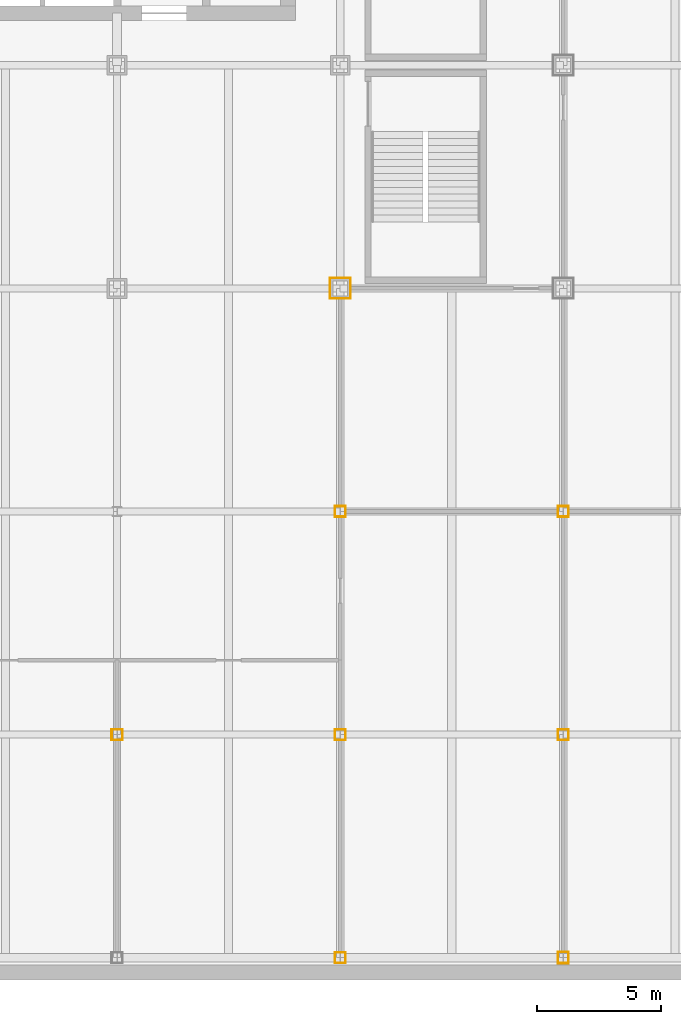
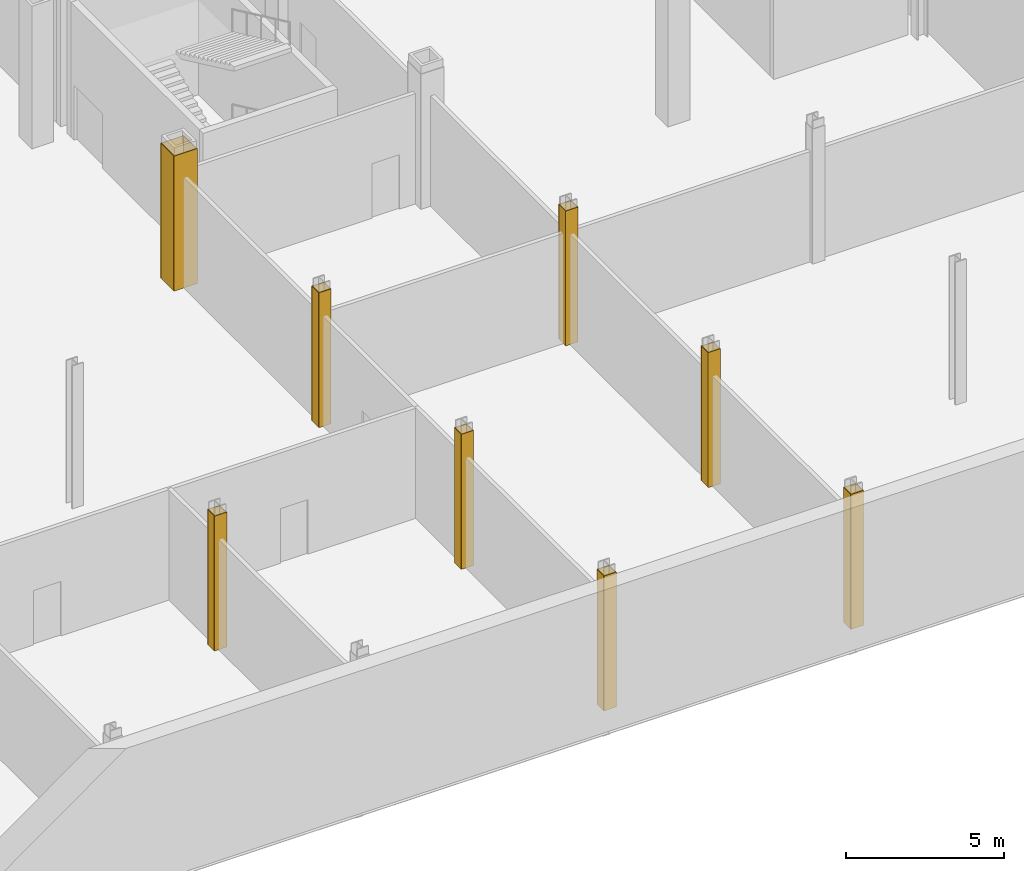
# One storey, part 17 of 27: 32 coverings.
"""IFC4 building model written with IfcOpenShell, lengths in metres."""

from ifc_helpers import new_model, si_unit, direction, frame, origin, origin_2d, place, context, subcontext, project, spatial, rectangle, extrude, material, layer, layer_set, type_object, element, save


model = new_model("IFC4")

# Units and contexts
model_context = context("Model", 3, precision=1e-05, world=origin(), true_north=direction((0.0, 1.0)))
body_context = subcontext(model_context, "Body", "Model", "MODEL_VIEW")
ifc_project = project(units=[si_unit("LENGTHUNIT", "METRE"), si_unit("AREAUNIT", "SQUARE_METRE"), si_unit("VOLUMEUNIT", "CUBIC_METRE"), si_unit("PLANEANGLEUNIT", "RADIAN"), si_unit("MASSUNIT", "GRAM", prefix="KILO")], contexts=[model_context])

# Site, building, storey
site_placement = place(None, origin())
site = spatial("IfcSite", under=ifc_project, at=site_placement, CompositionType="ELEMENT")
building_placement = place(site_placement, origin())
building = spatial("IfcBuilding", under=site, at=building_placement, Name="Loomwork Tower", CompositionType="ELEMENT")
storey_placement = place(building_placement, frame((0.0, 0.0, -5.5)))
storey = spatial("IfcBuildingStorey", under=building, at=storey_placement, Name="B1", CompositionType="ELEMENT", Elevation=-5.5)

# Coverings
ifc_material = material(Name="Two-hour fire-rated gypsum board casing")
ifc_layer = layer(ifc_material, 0.02490234375)
ifc_layer_set = layer_set([ifc_layer], Name="Column fire casing 25")
covering_type = type_object("IfcCoveringType", Name="Column fire casing 25", PredefinedType="CLADDING", material=ifc_layer_set)
for number, where, z_axis, x_axis, name in (
    (1, (27.0, -17.7880859375, 0.0), (0.0, 0.0, 1.0), (1.0, 0.0, 0.0), "Column casing 27 -18 B1"),
    (2, (27.0, -18.2119140625, 0.0), (0.0, 0.0, 1.0), (1.0, 0.0, 0.0), "Column casing 27 -18 B1"),
):
    element("IfcCovering", number, at=place(storey_placement, frame(where, z_axis=z_axis, x_axis=x_axis)), inside=storey, type_object=covering_type, Name=name, PredefinedType="CLADDING", context=body_context, shape_type="SweptSolid", body=[
        extrude(rectangle(XDim=0.451416015625, YDim=0.02490234375, at=origin_2d()), origin(), (0.0, 0.0, 1.0), 5.199951171875),
    ])
for number, where, z_axis, x_axis, name in (
    (3, (27.213134765625, -18.0, 0.0), (0.0, 0.0, 1.0), (1.0, 0.0, 0.0), "Column casing 27 -18 B1"),
    (4, (26.786865234375, -18.0, 0.0), (0.0, 0.0, 1.0), (1.0, 0.0, 0.0), "Column casing 27 -18 B1"),
):
    element("IfcCovering", number, at=place(storey_placement, frame(where, z_axis=z_axis, x_axis=x_axis)), inside=storey, type_object=covering_type, Name=name, PredefinedType="CLADDING", context=body_context, shape_type="SweptSolid", body=[
        extrude(rectangle(XDim=0.02490234375, YDim=0.398681640625, at=origin_2d()), origin(), (0.0, 0.0, 1.0), 5.199951171875),
    ])
for number, where, z_axis, x_axis, name in (
    (5, (36.0, -26.7880859375, 0.0), (0.0, 0.0, 1.0), (1.0, 0.0, 0.0), "Column casing 36 -27 B1"),
    (6, (36.0, -27.2119140625, 0.0), (0.0, 0.0, 1.0), (1.0, 0.0, 0.0), "Column casing 36 -27 B1"),
):
    element("IfcCovering", number, at=place(storey_placement, frame(where, z_axis=z_axis, x_axis=x_axis)), inside=storey, type_object=covering_type, Name=name, PredefinedType="CLADDING", context=body_context, shape_type="SweptSolid", body=[
        extrude(rectangle(XDim=0.451416015625, YDim=0.02490234375, at=origin_2d()), origin(), (0.0, 0.0, 1.0), 5.199951171875),
    ])
for number, where, z_axis, x_axis, name in (
    (7, (36.213134765625, -27.0, 0.0), (0.0, 0.0, 1.0), (1.0, 0.0, 0.0), "Column casing 36 -27 B1"),
    (8, (35.786865234375, -27.0, 0.0), (0.0, 0.0, 1.0), (1.0, 0.0, 0.0), "Column casing 36 -27 B1"),
):
    element("IfcCovering", number, at=place(storey_placement, frame(where, z_axis=z_axis, x_axis=x_axis)), inside=storey, type_object=covering_type, Name=name, PredefinedType="CLADDING", context=body_context, shape_type="SweptSolid", body=[
        extrude(rectangle(XDim=0.02490234375, YDim=0.398681640625, at=origin_2d()), origin(), (0.0, 0.0, 1.0), 5.199951171875),
    ])
for number, where, z_axis, x_axis, name in (
    (9, (36.0, -17.7880859375, 0.0), (0.0, 0.0, 1.0), (1.0, 0.0, 0.0), "Column casing 36 -18 B1"),
    (10, (36.0, -18.2119140625, 0.0), (0.0, 0.0, 1.0), (1.0, 0.0, 0.0), "Column casing 36 -18 B1"),
):
    element("IfcCovering", number, at=place(storey_placement, frame(where, z_axis=z_axis, x_axis=x_axis)), inside=storey, type_object=covering_type, Name=name, PredefinedType="CLADDING", context=body_context, shape_type="SweptSolid", body=[
        extrude(rectangle(XDim=0.451416015625, YDim=0.02490234375, at=origin_2d()), origin(), (0.0, 0.0, 1.0), 5.199951171875),
    ])
for number, where, z_axis, x_axis, name in (
    (11, (36.213134765625, -18.0, 0.0), (0.0, 0.0, 1.0), (1.0, 0.0, 0.0), "Column casing 36 -18 B1"),
    (12, (35.786865234375, -18.0, 0.0), (0.0, 0.0, 1.0), (1.0, 0.0, 0.0), "Column casing 36 -18 B1"),
):
    element("IfcCovering", number, at=place(storey_placement, frame(where, z_axis=z_axis, x_axis=x_axis)), inside=storey, type_object=covering_type, Name=name, PredefinedType="CLADDING", context=body_context, shape_type="SweptSolid", body=[
        extrude(rectangle(XDim=0.02490234375, YDim=0.398681640625, at=origin_2d()), origin(), (0.0, 0.0, 1.0), 5.199951171875),
    ])
for number, where, z_axis, x_axis, name in (
    (13, (36.0, -8.7880859375, 0.0), (0.0, 0.0, 1.0), (1.0, 0.0, 0.0), "Column casing 36 -9 B1"),
    (14, (36.0, -9.2119140625, 0.0), (0.0, 0.0, 1.0), (1.0, 0.0, 0.0), "Column casing 36 -9 B1"),
):
    element("IfcCovering", number, at=place(storey_placement, frame(where, z_axis=z_axis, x_axis=x_axis)), inside=storey, type_object=covering_type, Name=name, PredefinedType="CLADDING", context=body_context, shape_type="SweptSolid", body=[
        extrude(rectangle(XDim=0.451416015625, YDim=0.02490234375, at=origin_2d()), origin(), (0.0, 0.0, 1.0), 5.199951171875),
    ])
for number, where, z_axis, x_axis, name in (
    (15, (36.213134765625, -9.0, 0.0), (0.0, 0.0, 1.0), (1.0, 0.0, 0.0), "Column casing 36 -9 B1"),
    (16, (35.786865234375, -9.0, 0.0), (0.0, 0.0, 1.0), (1.0, 0.0, 0.0), "Column casing 36 -9 B1"),
):
    element("IfcCovering", number, at=place(storey_placement, frame(where, z_axis=z_axis, x_axis=x_axis)), inside=storey, type_object=covering_type, Name=name, PredefinedType="CLADDING", context=body_context, shape_type="SweptSolid", body=[
        extrude(rectangle(XDim=0.02490234375, YDim=0.398681640625, at=origin_2d()), origin(), (0.0, 0.0, 1.0), 5.199951171875),
    ])
for number, where, z_axis, x_axis, name in (
    (17, (36.0, 0.41259765625, 0.0), (0.0, 0.0, 1.0), (1.0, 0.0, 0.0), "Column casing 36 0 B1"),
    (18, (36.0, -0.41259765625, 0.0), (0.0, 0.0, 1.0), (1.0, 0.0, 0.0), "Column casing 36 0 B1"),
):
    element("IfcCovering", number, at=place(storey_placement, frame(where, z_axis=z_axis, x_axis=x_axis)), inside=storey, type_object=covering_type, Name=name, PredefinedType="CLADDING", context=body_context, shape_type="SweptSolid", body=[
        extrude(rectangle(XDim=0.85009765625, YDim=0.02490234375, at=origin_2d()), origin(), (0.0, 0.0, 1.0), 5.199951171875),
    ])
for number, where, z_axis, x_axis, name in (
    (19, (36.41259765625, 0.0, 0.0), (0.0, 0.0, 1.0), (1.0, 0.0, 0.0), "Column casing 36 0 B1"),
    (20, (35.58740234375, 0.0, 0.0), (0.0, 0.0, 1.0), (1.0, 0.0, 0.0), "Column casing 36 0 B1"),
):
    element("IfcCovering", number, at=place(storey_placement, frame(where, z_axis=z_axis, x_axis=x_axis)), inside=storey, type_object=covering_type, Name=name, PredefinedType="CLADDING", context=body_context, shape_type="SweptSolid", body=[
        extrude(rectangle(XDim=0.02490234375, YDim=0.800048828125, at=origin_2d()), origin(), (0.0, 0.0, 1.0), 5.199951171875),
    ])
for number, where, z_axis, x_axis, name in (
    (21, (45.0, -26.775390625, 0.0), (0.0, 0.0, 1.0), (1.0, 0.0, 0.0), "Column casing 45 -27 B1"),
    (22, (45.0, -27.224609375, 0.0), (0.0, 0.0, 1.0), (1.0, 0.0, 0.0), "Column casing 45 -27 B1"),
):
    element("IfcCovering", number, at=place(storey_placement, frame(where, z_axis=z_axis, x_axis=x_axis)), inside=storey, type_object=covering_type, Name=name, PredefinedType="CLADDING", context=body_context, shape_type="SweptSolid", body=[
        extrude(rectangle(XDim=0.458984375, YDim=0.02490234375, at=origin_2d()), origin(), (0.0, 0.0, 1.0), 5.199951171875),
    ])
for number, where, z_axis, x_axis, name in (
    (23, (45.217041015625, -27.0, 0.0), (0.0, 0.0, 1.0), (1.0, 0.0, 0.0), "Column casing 45 -27 B1"),
    (24, (44.782958984375, -27.0, 0.0), (0.0, 0.0, 1.0), (1.0, 0.0, 0.0), "Column casing 45 -27 B1"),
):
    element("IfcCovering", number, at=place(storey_placement, frame(where, z_axis=z_axis, x_axis=x_axis)), inside=storey, type_object=covering_type, Name=name, PredefinedType="CLADDING", context=body_context, shape_type="SweptSolid", body=[
        extrude(rectangle(XDim=0.02490234375, YDim=0.42431640625, at=origin_2d()), origin(), (0.0, 0.0, 1.0), 5.199951171875),
    ])
for number, where, z_axis, x_axis, name in (
    (25, (45.0, -17.7880859375, 0.0), (0.0, 0.0, 1.0), (1.0, 0.0, 0.0), "Column casing 45 -18 B1"),
    (26, (45.0, -18.2119140625, 0.0), (0.0, 0.0, 1.0), (1.0, 0.0, 0.0), "Column casing 45 -18 B1"),
):
    element("IfcCovering", number, at=place(storey_placement, frame(where, z_axis=z_axis, x_axis=x_axis)), inside=storey, type_object=covering_type, Name=name, PredefinedType="CLADDING", context=body_context, shape_type="SweptSolid", body=[
        extrude(rectangle(XDim=0.451416015625, YDim=0.02490234375, at=origin_2d()), origin(), (0.0, 0.0, 1.0), 5.199951171875),
    ])
for number, where, z_axis, x_axis, name in (
    (27, (45.213134765625, -18.0, 0.0), (0.0, 0.0, 1.0), (1.0, 0.0, 0.0), "Column casing 45 -18 B1"),
    (28, (44.786865234375, -18.0, 0.0), (0.0, 0.0, 1.0), (1.0, 0.0, 0.0), "Column casing 45 -18 B1"),
):
    element("IfcCovering", number, at=place(storey_placement, frame(where, z_axis=z_axis, x_axis=x_axis)), inside=storey, type_object=covering_type, Name=name, PredefinedType="CLADDING", context=body_context, shape_type="SweptSolid", body=[
        extrude(rectangle(XDim=0.02490234375, YDim=0.398681640625, at=origin_2d()), origin(), (0.0, 0.0, 1.0), 5.199951171875),
    ])
for number, where, z_axis, x_axis, name in (
    (29, (45.0, -8.7880859375, 0.0), (0.0, 0.0, 1.0), (1.0, 0.0, 0.0), "Column casing 45 -9 B1"),
    (30, (45.0, -9.2119140625, 0.0), (0.0, 0.0, 1.0), (1.0, 0.0, 0.0), "Column casing 45 -9 B1"),
):
    element("IfcCovering", number, at=place(storey_placement, frame(where, z_axis=z_axis, x_axis=x_axis)), inside=storey, type_object=covering_type, Name=name, PredefinedType="CLADDING", context=body_context, shape_type="SweptSolid", body=[
        extrude(rectangle(XDim=0.451416015625, YDim=0.02490234375, at=origin_2d()), origin(), (0.0, 0.0, 1.0), 5.199951171875),
    ])
for number, where, z_axis, x_axis, name in (
    (31, (45.213134765625, -9.0, 0.0), (0.0, 0.0, 1.0), (1.0, 0.0, 0.0), "Column casing 45 -9 B1"),
    (32, (44.786865234375, -9.0, 0.0), (0.0, 0.0, 1.0), (1.0, 0.0, 0.0), "Column casing 45 -9 B1"),
):
    element("IfcCovering", number, at=place(storey_placement, frame(where, z_axis=z_axis, x_axis=x_axis)), inside=storey, type_object=covering_type, Name=name, PredefinedType="CLADDING", context=body_context, shape_type="SweptSolid", body=[
        extrude(rectangle(XDim=0.02490234375, YDim=0.398681640625, at=origin_2d()), origin(), (0.0, 0.0, 1.0), 5.199951171875),
    ])

save(model, "model.ifc")
